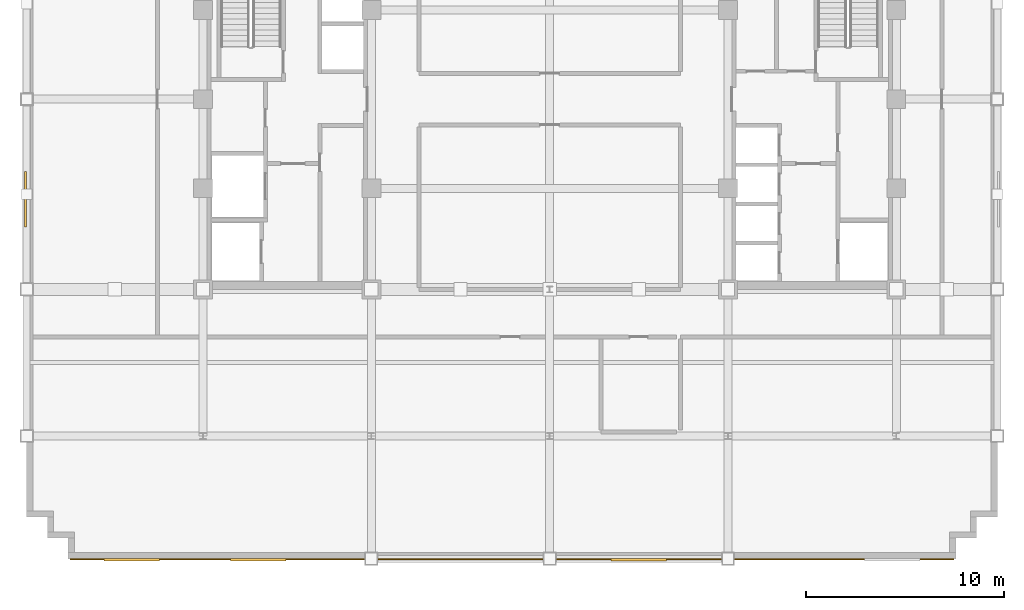
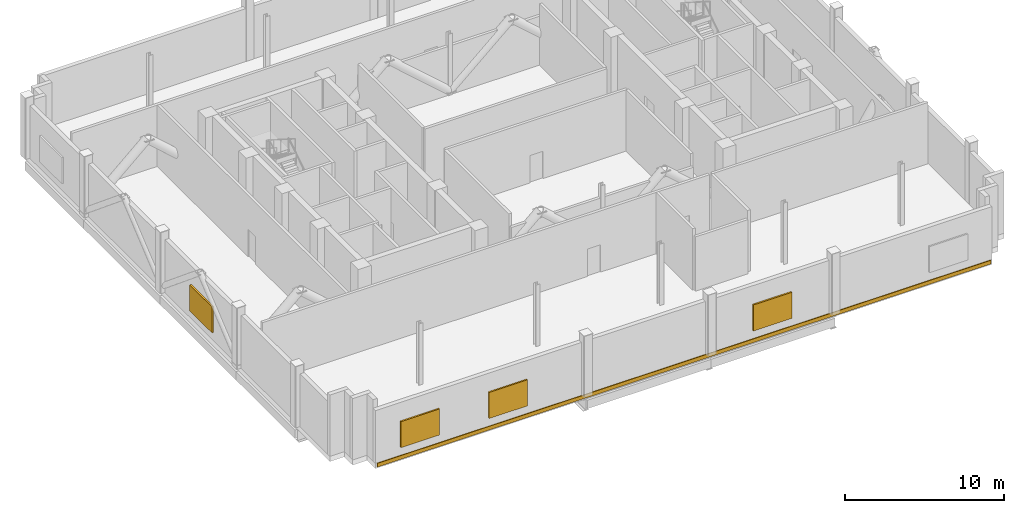
# One storey, part 10 of 13: 4 shading devices, 1 covering.
"""IFC4 building model written with IfcOpenShell, lengths in metres."""

from ifc_helpers import new_model, si_unit, direction, frame, origin, origin_2d, place, context, subcontext, project, spatial, rectangle, extrude, source, transform, mapped, material, layer, layer_set, type_object, type_shapes, element, save


model = new_model("IFC4")

# Units and contexts
model_context = context("Model", 3, precision=1e-05, world=origin(), true_north=direction((0.0, 1.0)))
body_context = subcontext(model_context, "Body", "Model", "MODEL_VIEW")
ifc_project = project(units=[si_unit("LENGTHUNIT", "METRE"), si_unit("AREAUNIT", "SQUARE_METRE"), si_unit("VOLUMEUNIT", "CUBIC_METRE"), si_unit("PLANEANGLEUNIT", "RADIAN"), si_unit("MASSUNIT", "GRAM", prefix="KILO")], contexts=[model_context])

# Site, building, storey
site_placement = place(None, origin())
site = spatial("IfcSite", under=ifc_project, at=site_placement, CompositionType="ELEMENT")
building_placement = place(site_placement, origin())
building = spatial("IfcBuilding", under=site, at=building_placement, Name="Nuvemarco Arch Tower", CompositionType="ELEMENT")
storey_placement = place(building_placement, frame((0.0, 0.0, 185.89990234375)))
storey = spatial("IfcBuildingStorey", under=building, at=storey_placement, Name="L49", CompositionType="ELEMENT", Elevation=185.89990234375)

# Shading devices
ifc_material_1 = material(Name="Anodised aluminium 6063-T6", Category="aluminium")
shading_device_type = type_object("IfcShadingDeviceType", Name="SHD-LOUVRE-PLANT", PredefinedType="JALOUSIE", material=ifc_material_1)
shared_shape_1 = source(origin(), body_context, "Body", "SweptSolid", [
    extrude(rectangle(XDim=2.800048828125, YDim=0.1201171875, at=origin_2d()), origin(), (0.0, 0.0, 1.0), 2.0),
])
type_shapes(shading_device_type, [shared_shape_1])
for number, where, z_axis, x_axis, name in (
    (1, (-21.10009765625, -23.2548828125, 0.650146484375), (0.0, 0.0, 1.0), (1.0, 0.0, 0.0), "L49 acoustic plant louvre panel 1"),
    (2, (-14.699951171875, -23.2548828125, 0.650146484375), (0.0, 0.0, 1.0), (1.0, 0.0, 0.0), "L49 acoustic plant louvre panel 2"),
    (3, (4.5, -23.2548828125, 0.650146484375), (0.0, 0.0, 1.0), (1.0, 0.0, 0.0), "L49 acoustic plant louvre panel 5"),
    (4, (-26.455078125, -5.049072265625, 0.650146484375), (0.0, 0.0, 1.0), (0.0, 1.0, 0.0), "L49 acoustic plant louvre panel 3"),
):
    element("IfcShadingDevice", number, at=place(storey_placement, frame(where, z_axis=z_axis, x_axis=x_axis)), inside=storey, type_object=shading_device_type, Name=name, PredefinedType="JALOUSIE", context=body_context, shape_type="MappedRepresentation", body=[
        mapped(shared_shape_1, transform((0.0, 0.0, 0.0), scale=1.0)),
    ])

# Covering
ifc_material_2 = material(Name="Precast concrete C45/55", Category="concrete")
ifc_layer = layer(ifc_material_2, 0.06005859375, Name="COV-SPANDREL-CLAD")
ifc_layer_set = layer_set([ifc_layer], Name="Precast concrete C45/55")
covering_type = type_object("IfcCoveringType", Name="COV-SPANDREL-CLAD", PredefinedType="CLADDING", material=ifc_layer_set)
shared_shape_2 = source(origin(), body_context, "Body", "SweptSolid", [
    extrude(rectangle(XDim=44.60009765625, YDim=0.06005859375, at=origin_2d()), origin(), (0.0, 0.0, 1.0), 0.280029296875),
])
type_shapes(covering_type, [shared_shape_2])
covering_placement = place(storey_placement, frame((-1.89990234375, -23.22900390625, -0.27978515625), z_axis=(0.0, 0.0, 1.0), x_axis=(1.0, 0.0, 0.0)))
element("IfcCovering", 5, at=covering_placement, inside=storey, type_object=covering_type, Name="L49 precast spandrel edge cladding south", PredefinedType="CLADDING", context=body_context, shape_type="MappedRepresentation", body=[
    mapped(shared_shape_2, transform((0.0, 0.0, 0.0), scale=1.0)),
])

save(model, "model.ifc")
